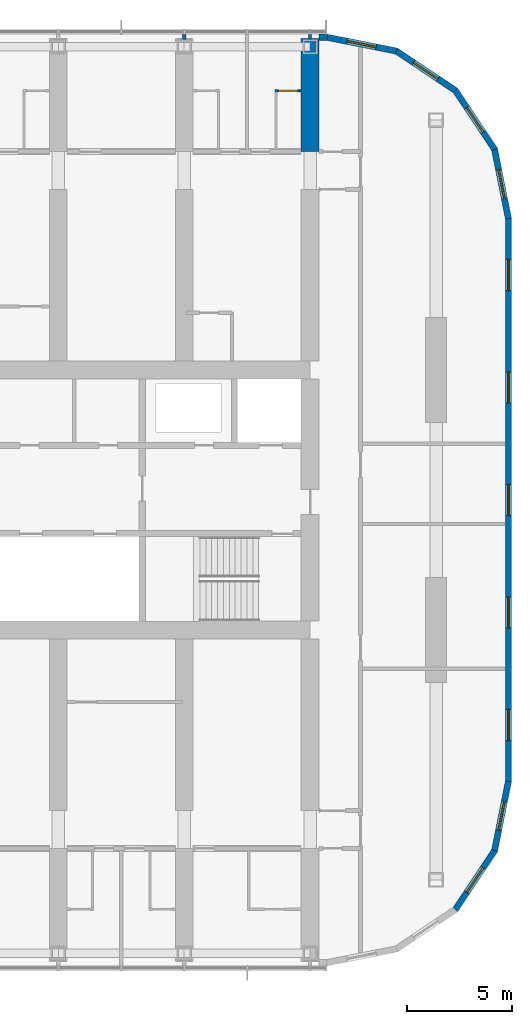
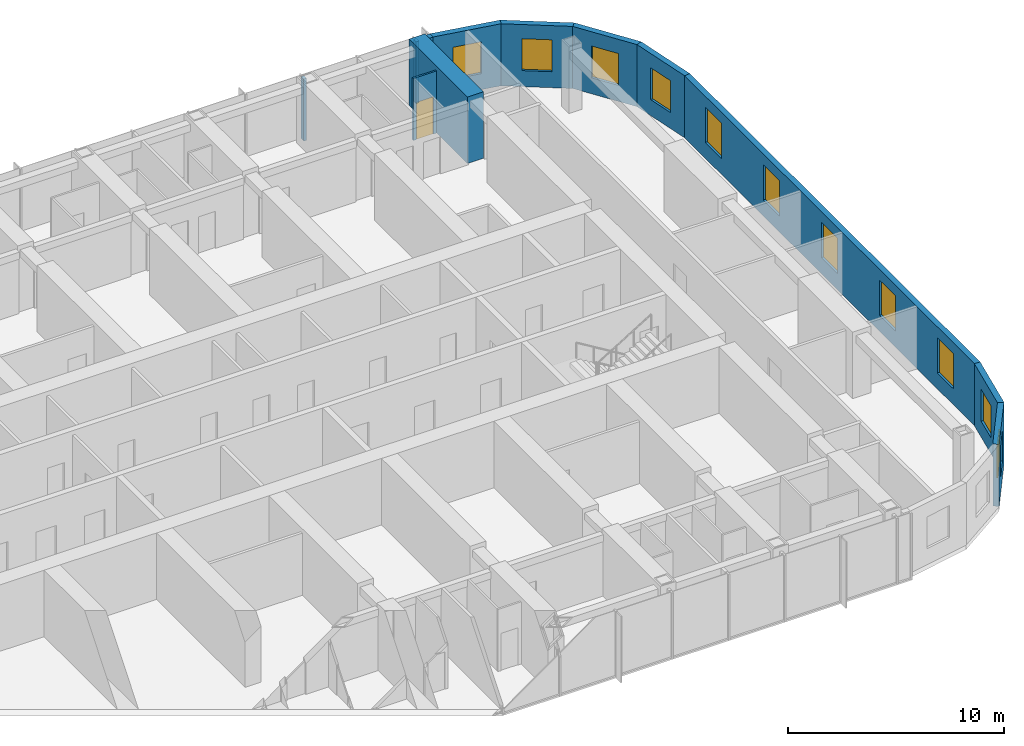
# One storey, part 17 of 22: 12 walls, 11 windows, 1 door, 12 openings.
"""IFC4 building model written with IfcOpenShell, lengths in metres."""

from ifc_helpers import new_model, si_unit, direction, frame, frame_2d, origin, place, context, subcontext, project, spatial, polyline, rectangle, outline, extrude, material, layer, layer_set, type_object, element, fill, save


model = new_model("IFC4")

# Units and contexts
model_context = context("Model", 3, precision=1e-05, world=origin(), true_north=direction((0.0, 1.0)))
body_context = subcontext(model_context, "Body", "Model", "MODEL_VIEW")
ifc_project = project(units=[si_unit("LENGTHUNIT", "METRE"), si_unit("AREAUNIT", "SQUARE_METRE"), si_unit("VOLUMEUNIT", "CUBIC_METRE"), si_unit("PLANEANGLEUNIT", "RADIAN"), si_unit("MASSUNIT", "GRAM", prefix="KILO")], contexts=[model_context])

# Site, building, storey
site_placement = place(None, origin())
site = spatial("IfcSite", under=ifc_project, at=site_placement, CompositionType="ELEMENT")
building_placement = place(site_placement, origin())
building = spatial("IfcBuilding", under=site, at=building_placement, Name="Orbita Commons", CompositionType="ELEMENT")
storey_placement = place(building_placement, frame((0.0, 0.0, 167.35009765625)))
storey = spatial("IfcBuildingStorey", under=building, at=storey_placement, Name="L41", CompositionType="ELEMENT", Elevation=167.35009765625)

# Wall
ifc_material_1 = material(Name="Concrete C50/60", Category="concrete")
ifc_layer_1 = layer(ifc_material_1, 0.85009765625)
ifc_layer_set_1 = layer_set([ifc_layer_1], Name="Concrete C50/60")
wall_type_1 = type_object("IfcWallType", Name="Cross wall 850 C50/60", PredefinedType="SHEAR", material=ifc_layer_set_1)
wall_1_placement = place(storey_placement, frame((66.0, 48.60009765625, 0.0), z_axis=(0.0, 0.0, 1.0), x_axis=(0.0, 1.0, 0.0)))
element("IfcWall", 1, at=wall_1_placement, inside=storey, type_object=wall_type_1, Name="Cross wall 12 north outer L41", PredefinedType="SHEAR", context=body_context, shape_type="SweptSolid", body=[
    extrude(rectangle(XDim=5.39990234375, YDim=0.85009765625, at=frame_2d((2.699951171875, 0.0))), origin(), (0.0, 0.0, 1.0), 3.75),
])

# Wall, opening, door
ifc_material_2 = material(Name="Moisture-resistant plasterboard on steel studs", Category="steel")
ifc_layer_2 = layer(ifc_material_2, 0.10009765625)
ifc_layer_set_2 = layer_set([ifc_layer_2], Name="Moisture-resistant plasterboard on steel studs")
wall_type_2 = type_object("IfcWallType", Name="En-suite partition 100", PredefinedType="PARTITIONING", material=ifc_layer_set_2)
wall_2_placement = place(storey_placement, frame((64.324951171875, 51.5, 0.0), z_axis=(0.0, 0.0, 1.0), x_axis=(1.0, 0.0, 0.0)))
wall_2 = element("IfcWall", 2, at=wall_2_placement, inside=storey, type_object=wall_type_2, Name="En-suite partition 100 L41", PredefinedType="PARTITIONING", context=body_context, shape_type="SweptSolid", body=[
    extrude(rectangle(XDim=1.25, YDim=0.10009765625, at=frame_2d((0.625, 0.0))), origin(), (0.0, 0.0, 1.0), 3.5),
])
opening_1_placement = place(wall_2_placement, frame((0.175048828125, 0.0, 0.0)))
opening_1 = element("IfcOpeningElement", 3, at=opening_1_placement, cuts=wall_2, Name="Opening D09", PredefinedType="OPENING", context=body_context, shape_type="SweptSolid", body=[
    extrude(rectangle(XDim=0.89990234375, YDim=2.10009765625, at=frame_2d((0.449951171875, 1.050048828125))), frame((0.0, 0.06005859375, 0.0), z_axis=(0.0, -1.0, 0.0), x_axis=(1.0, 0.0, 0.0)), (0.0, 0.0, 1.0), 0.1201171875),
])
ifc_material_3 = material(Name="Laminated timber door leaf", Category="wood")
door_type = type_object("IfcDoorType", Name="En-suite door 900x2100", OperationType="SINGLE_SWING_RIGHT", PredefinedType="DOOR", material=ifc_material_3)
door_placement = place(opening_1_placement, origin())
door = element("IfcDoor", 4, at=door_placement, inside=storey, type_object=door_type, Name="En-suite L41-N15 door", OperationType="SINGLE_SWING_RIGHT", OverallHeight=2.10009765625, OverallWidth=0.89990234375, PredefinedType="DOOR", context=body_context, shape_type="SweptSolid", body=[
    extrude(rectangle(XDim=0.89990234375, YDim=2.10009765625, at=frame_2d((0.449951171875, 1.050048828125))), frame((0.0, 0.02490234375, 0.0), z_axis=(0.0, -1.0, 0.0), x_axis=(1.0, 0.0, 0.0)), (0.0, 0.0, 1.0), 0.050048828125),
])
fill(opening_1, door)

# Walls
ifc_material_4 = material(Name="Gypsum plasterboard on steel studs", Category="steel")
ifc_layer_3 = layer(ifc_material_4, 0.14990234375)
ifc_layer_set_3 = layer_set([ifc_layer_3], Name="Gypsum plasterboard on steel studs")
wall_type_3 = type_object("IfcWallType", Name="Partition 150 plasterboard", PredefinedType="PARTITIONING", material=ifc_layer_set_3)
for number, where, z_axis, x_axis, name in (
    (5, (60.0, 53.949951171875, 0.0), (0.0, 0.0, 1.0), (0.0, 1.0, 0.0), "Partition 150 plasterboard L41"),
    (6, (66.0, 53.949951171875, 0.0), (0.0, 0.0, 1.0), (0.0, 1.0, 0.0), "Partition 150 plasterboard L41"),
):
    element("IfcWall", number, at=place(storey_placement, frame(where, z_axis=z_axis, x_axis=x_axis)), inside=storey, type_object=wall_type_3, Name=name, PredefinedType="PARTITIONING", context=body_context, shape_type="SweptSolid", body=[
        extrude(rectangle(XDim=0.239990234375, YDim=0.14990234375, at=frame_2d((0.1201171875, 0.0))), origin(), (0.0, 0.0, 1.0), 3.5),
    ])

# Wall, openings, windows
ifc_material_5 = material(Name="Precast concrete C40/50, white board-marked finish", Category="concrete")
ifc_layer_4 = layer(ifc_material_5, 0.300048828125)
ifc_layer_set_4 = layer_set([ifc_layer_4], Name="Precast concrete C40/50, white board-marked finish")
wall_type_4 = type_object("IfcWallType", Name="Precast concrete end shield 300", PredefinedType="SOLIDWALL", material=ifc_layer_set_4)
wall_3_placement = place(storey_placement, frame((75.449951171875, 18.60009765625, 0.0), z_axis=(0.0, 0.0, 1.0), x_axis=(0.0, 1.0, 0.0)))
wall_3 = element("IfcWall", 7, at=wall_3_placement, inside=storey, type_object=wall_type_4, Name="End shield E L41", PredefinedType="SOLIDWALL", context=body_context, shape_type="SweptSolid", body=[
    extrude(outline(polyline([(-0.014892578125, -0.14990234375), (26.814697265625, -0.14990234375), (26.784912109375, 0.14990234375), (0.014892578125, 0.14990234375), (-0.014892578125, -0.14990234375)])), origin(), (0.0, 0.0, 1.0), 3.5),
])
opening_2_placement = place(wall_3_placement, frame((1.929931640625, 0.0, 0.89990234375)))
opening_2 = element("IfcOpeningElement", 8, at=opening_2_placement, cuts=wall_3, Name="Opening W01", PredefinedType="OPENING", context=body_context, shape_type="SweptSolid", body=[
    extrude(rectangle(XDim=1.5, YDim=2.0, at=frame_2d((0.75, 1.0))), frame((0.0, 0.159912109375, 0.0), z_axis=(0.0, -1.0, 0.0), x_axis=(1.0, 0.0, 0.0)), (0.0, 0.0, 1.0), 0.320068359375),
])
opening_3_placement = place(wall_3_placement, frame((7.2900390625, 0.0, 0.89990234375)))
opening_3 = element("IfcOpeningElement", 9, at=opening_3_placement, cuts=wall_3, Name="Opening W01", PredefinedType="OPENING", context=body_context, shape_type="SweptSolid", body=[
    extrude(rectangle(XDim=1.5, YDim=2.0, at=frame_2d((0.75, 1.0))), frame((0.0, 0.159912109375, 0.0), z_axis=(0.0, -1.0, 0.0), x_axis=(1.0, 0.0, 0.0)), (0.0, 0.0, 1.0), 0.320068359375),
])
opening_4_placement = place(wall_3_placement, frame((12.64990234375, 0.0, 0.89990234375)))
opening_4 = element("IfcOpeningElement", 10, at=opening_4_placement, cuts=wall_3, Name="Opening W01", PredefinedType="OPENING", context=body_context, shape_type="SweptSolid", body=[
    extrude(rectangle(XDim=1.5, YDim=2.0, at=frame_2d((0.75, 1.0))), frame((0.0, 0.159912109375, 0.0), z_axis=(0.0, -1.0, 0.0), x_axis=(1.0, 0.0, 0.0)), (0.0, 0.0, 1.0), 0.320068359375),
])
opening_5_placement = place(wall_3_placement, frame((18.010009765625, 0.0, 0.89990234375)))
opening_5 = element("IfcOpeningElement", 11, at=opening_5_placement, cuts=wall_3, Name="Opening W01", PredefinedType="OPENING", context=body_context, shape_type="SweptSolid", body=[
    extrude(rectangle(XDim=1.5, YDim=2.0, at=frame_2d((0.75, 1.0))), frame((0.0, 0.159912109375, 0.0), z_axis=(0.0, -1.0, 0.0), x_axis=(1.0, 0.0, 0.0)), (0.0, 0.0, 1.0), 0.320068359375),
])
opening_6_placement = place(wall_3_placement, frame((23.3701171875, 0.0, 0.89990234375)))
opening_6 = element("IfcOpeningElement", 12, at=opening_6_placement, cuts=wall_3, Name="Opening W01", PredefinedType="OPENING", context=body_context, shape_type="SweptSolid", body=[
    extrude(rectangle(XDim=1.5, YDim=2.0, at=frame_2d((0.75, 1.0))), frame((0.0, 0.159912109375, 0.0), z_axis=(0.0, -1.0, 0.0), x_axis=(1.0, 0.0, 0.0)), (0.0, 0.0, 1.0), 0.320068359375),
])
ifc_material_6 = material(Name="Aluminium frame, clear double glazing", Category="aluminium")
window_type_1 = type_object("IfcWindowType", Name="Deep-set window 1500x2000", PartitioningType="SINGLE_PANEL", PredefinedType="WINDOW", material=ifc_material_6)
window_1_placement = place(opening_2_placement, origin())
window_1 = element("IfcWindow", 13, at=window_1_placement, inside=storey, type_object=window_type_1, Name="Window L41-E 1", OverallHeight=2.0, OverallWidth=1.5, PartitioningType="SINGLE_PANEL", PredefinedType="WINDOW", context=body_context, shape_type="SweptSolid", body=[
    extrude(rectangle(XDim=1.5, YDim=2.0, at=frame_2d((0.75, 1.0))), frame((0.0, 0.030029296875, 0.0), z_axis=(0.0, -1.0, 0.0), x_axis=(1.0, 0.0, 0.0)), (0.0, 0.0, 1.0), 0.06005859375),
])
fill(opening_2, window_1)
window_2_placement = place(opening_3_placement, origin())
window_2 = element("IfcWindow", 14, at=window_2_placement, inside=storey, type_object=window_type_1, Name="Window L41-E 2", OverallHeight=2.0, OverallWidth=1.5, PartitioningType="SINGLE_PANEL", PredefinedType="WINDOW", context=body_context, shape_type="SweptSolid", body=[
    extrude(rectangle(XDim=1.5, YDim=2.0, at=frame_2d((0.75, 1.0))), frame((0.0, 0.030029296875, 0.0), z_axis=(0.0, -1.0, 0.0), x_axis=(1.0, 0.0, 0.0)), (0.0, 0.0, 1.0), 0.06005859375),
])
fill(opening_3, window_2)
window_3_placement = place(opening_4_placement, origin())
window_3 = element("IfcWindow", 15, at=window_3_placement, inside=storey, type_object=window_type_1, Name="Window L41-E 3", OverallHeight=2.0, OverallWidth=1.5, PartitioningType="SINGLE_PANEL", PredefinedType="WINDOW", context=body_context, shape_type="SweptSolid", body=[
    extrude(rectangle(XDim=1.5, YDim=2.0, at=frame_2d((0.75, 1.0))), frame((0.0, 0.030029296875, 0.0), z_axis=(0.0, -1.0, 0.0), x_axis=(1.0, 0.0, 0.0)), (0.0, 0.0, 1.0), 0.06005859375),
])
fill(opening_4, window_3)
window_4_placement = place(opening_5_placement, origin())
window_4 = element("IfcWindow", 16, at=window_4_placement, inside=storey, type_object=window_type_1, Name="Window L41-E 4", OverallHeight=2.0, OverallWidth=1.5, PartitioningType="SINGLE_PANEL", PredefinedType="WINDOW", context=body_context, shape_type="SweptSolid", body=[
    extrude(rectangle(XDim=1.5, YDim=2.0, at=frame_2d((0.75, 1.0))), frame((0.0, 0.030029296875, 0.0), z_axis=(0.0, -1.0, 0.0), x_axis=(1.0, 0.0, 0.0)), (0.0, 0.0, 1.0), 0.06005859375),
])
fill(opening_5, window_4)
window_5_placement = place(opening_6_placement, origin())
window_5 = element("IfcWindow", 17, at=window_5_placement, inside=storey, type_object=window_type_1, Name="Window L41-E 5", OverallHeight=2.0, OverallWidth=1.5, PartitioningType="SINGLE_PANEL", PredefinedType="WINDOW", context=body_context, shape_type="SweptSolid", body=[
    extrude(rectangle(XDim=1.5, YDim=2.0, at=frame_2d((0.75, 1.0))), frame((0.0, 0.030029296875, 0.0), z_axis=(0.0, -1.0, 0.0), x_axis=(1.0, 0.0, 0.0)), (0.0, 0.0, 1.0), 0.06005859375),
])
fill(opening_6, window_5)

# Wall, opening, window
wall_4_placement = place(storey_placement, frame((72.91650390625, 12.4833984375, 0.0), z_axis=(0.0, 0.0, 1.0), x_axis=(0.555534554399, 0.831493450887, 0.0)))
wall_4 = element("IfcWall", 18, at=wall_4_placement, inside=storey, type_object=wall_type_4, Name="End shield SE chord 3 L41", PredefinedType="SOLIDWALL", context=body_context, shape_type="SweptSolid", body=[
    extrude(outline(polyline([(-0.02978515625, -0.14990234375), (3.405029296875, -0.14990234375), (3.345458984375, 0.14990234375), (0.02978515625, 0.14990234375), (-0.02978515625, -0.14990234375)])), origin(), (0.0, 0.0, 1.0), 3.5),
])
opening_7_placement = place(wall_4_placement, frame((0.987548828125, 0.0, 0.89990234375)))
opening_7 = element("IfcOpeningElement", 19, at=opening_7_placement, cuts=wall_4, Name="Opening W02", PredefinedType="OPENING", context=body_context, shape_type="SweptSolid", body=[
    extrude(rectangle(XDim=1.39990234375, YDim=1.800048828125, at=frame_2d((0.699951171875, 0.89990234375))), frame((0.0, 0.159912109375, 0.0), z_axis=(0.0, -1.0, 0.0), x_axis=(1.0, 0.0, 0.0)), (0.0, 0.0, 1.0), 0.320068359375),
])
ifc_material_7 = material(Name="Aluminium frame, clear double glazing", Category="aluminium")
window_type_2 = type_object("IfcWindowType", Name="Deep-set window 1400x1800", PartitioningType="SINGLE_PANEL", PredefinedType="WINDOW", material=ifc_material_7)
window_6_placement = place(opening_7_placement, origin())
window_6 = element("IfcWindow", 20, at=window_6_placement, inside=storey, type_object=window_type_2, Name="Window L41-SE2", OverallHeight=1.800048828125, OverallWidth=1.39990234375, PartitioningType="SINGLE_PANEL", PredefinedType="WINDOW", context=body_context, shape_type="SweptSolid", body=[
    extrude(rectangle(XDim=1.39990234375, YDim=1.800048828125, at=frame_2d((0.699951171875, 0.89990234375))), frame((0.0, 0.030029296875, 0.0), z_axis=(0.0, -1.0, 0.0), x_axis=(1.0, 0.0, 0.0)), (0.0, 0.0, 1.0), 0.06005859375),
])
fill(opening_7, window_6)

wall_5_placement = place(storey_placement, frame((74.79150390625, 15.289794921875, 0.0), z_axis=(0.0, 0.0, 1.0), x_axis=(0.19508664885, 0.980786011034, 0.0)))
wall_5 = element("IfcWall", 21, at=wall_5_placement, inside=storey, type_object=wall_type_4, Name="End shield SE chord 4 L41", PredefinedType="SOLIDWALL", context=body_context, shape_type="SweptSolid", body=[
    extrude(outline(polyline([(-0.02978515625, -0.14990234375), (3.39013671875, -0.14990234375), (3.3603515625, 0.14990234375), (0.02978515625, 0.14990234375), (-0.02978515625, -0.14990234375)])), origin(), (0.0, 0.0, 1.0), 3.5),
])
opening_8_placement = place(wall_5_placement, frame((0.987548828125, 0.0, 0.89990234375)))
opening_8 = element("IfcOpeningElement", 22, at=opening_8_placement, cuts=wall_5, Name="Opening W02", PredefinedType="OPENING", context=body_context, shape_type="SweptSolid", body=[
    extrude(rectangle(XDim=1.39990234375, YDim=1.800048828125, at=frame_2d((0.699951171875, 0.89990234375))), frame((0.0, 0.159912109375, 0.0), z_axis=(0.0, -1.0, 0.0), x_axis=(1.0, 0.0, 0.0)), (0.0, 0.0, 1.0), 0.320068359375),
])
window_7_placement = place(opening_8_placement, origin())
window_7 = element("IfcWindow", 23, at=window_7_placement, inside=storey, type_object=window_type_2, Name="Window L41-SE3", OverallHeight=1.800048828125, OverallWidth=1.39990234375, PartitioningType="SINGLE_PANEL", PredefinedType="WINDOW", context=body_context, shape_type="SweptSolid", body=[
    extrude(rectangle(XDim=1.39990234375, YDim=1.800048828125, at=frame_2d((0.699951171875, 0.89990234375))), frame((0.0, 0.030029296875, 0.0), z_axis=(0.0, -1.0, 0.0), x_axis=(1.0, 0.0, 0.0)), (0.0, 0.0, 1.0), 0.06005859375),
])
fill(opening_8, window_7)

wall_6_placement = place(storey_placement, frame((75.449951171875, 45.39990234375, 0.0), z_axis=(0.0, 0.0, 1.0), x_axis=(-0.19508664885, 0.980786011034, 0.0)))
wall_6 = element("IfcWall", 24, at=wall_6_placement, inside=storey, type_object=wall_type_4, Name="End shield NE chord 1 L41", PredefinedType="SOLIDWALL", context=body_context, shape_type="SweptSolid", body=[
    extrude(outline(polyline([(-0.014892578125, -0.14990234375), (3.405029296875, -0.14990234375), (3.345458984375, 0.14990234375), (0.014892578125, 0.14990234375), (-0.014892578125, -0.14990234375)])), origin(), (0.0, 0.0, 1.0), 3.5),
])
opening_9_placement = place(wall_6_placement, frame((0.987548828125, 0.0, 0.89990234375)))
opening_9 = element("IfcOpeningElement", 25, at=opening_9_placement, cuts=wall_6, Name="Opening W02", PredefinedType="OPENING", context=body_context, shape_type="SweptSolid", body=[
    extrude(rectangle(XDim=1.39990234375, YDim=1.800048828125, at=frame_2d((0.699951171875, 0.89990234375))), frame((0.0, 0.159912109375, 0.0), z_axis=(0.0, -1.0, 0.0), x_axis=(1.0, 0.0, 0.0)), (0.0, 0.0, 1.0), 0.320068359375),
])
window_8_placement = place(opening_9_placement, origin())
window_8 = element("IfcWindow", 26, at=window_8_placement, inside=storey, type_object=window_type_2, Name="Window L41-NE0", OverallHeight=1.800048828125, OverallWidth=1.39990234375, PartitioningType="SINGLE_PANEL", PredefinedType="WINDOW", context=body_context, shape_type="SweptSolid", body=[
    extrude(rectangle(XDim=1.39990234375, YDim=1.800048828125, at=frame_2d((0.699951171875, 0.89990234375))), frame((0.0, 0.030029296875, 0.0), z_axis=(0.0, -1.0, 0.0), x_axis=(1.0, 0.0, 0.0)), (0.0, 0.0, 1.0), 0.06005859375),
])
fill(opening_9, window_8)

wall_7_placement = place(storey_placement, frame((74.79150390625, 48.710205078125, 0.0), z_axis=(0.0, 0.0, 1.0), x_axis=(-0.555534554399, 0.831493450887, 0.0)))
wall_7 = element("IfcWall", 27, at=wall_7_placement, inside=storey, type_object=wall_type_4, Name="End shield NE chord 2 L41", PredefinedType="SOLIDWALL", context=body_context, shape_type="SweptSolid", body=[
    extrude(outline(polyline([(-0.02978515625, -0.14990234375), (3.405029296875, -0.14990234375), (3.345458984375, 0.14990234375), (0.02978515625, 0.14990234375), (-0.02978515625, -0.14990234375)])), origin(), (0.0, 0.0, 1.0), 3.5),
])
opening_10_placement = place(wall_7_placement, frame((0.987548828125, 0.0, 0.89990234375)))
opening_10 = element("IfcOpeningElement", 28, at=opening_10_placement, cuts=wall_7, Name="Opening W02", PredefinedType="OPENING", context=body_context, shape_type="SweptSolid", body=[
    extrude(rectangle(XDim=1.39990234375, YDim=1.800048828125, at=frame_2d((0.699951171875, 0.89990234375))), frame((0.0, 0.159912109375, 0.0), z_axis=(0.0, -1.0, 0.0), x_axis=(1.0, 0.0, 0.0)), (0.0, 0.0, 1.0), 0.320068359375),
])
window_9_placement = place(opening_10_placement, origin())
window_9 = element("IfcWindow", 29, at=window_9_placement, inside=storey, type_object=window_type_2, Name="Window L41-NE1", OverallHeight=1.800048828125, OverallWidth=1.39990234375, PartitioningType="SINGLE_PANEL", PredefinedType="WINDOW", context=body_context, shape_type="SweptSolid", body=[
    extrude(rectangle(XDim=1.39990234375, YDim=1.800048828125, at=frame_2d((0.699951171875, 0.89990234375))), frame((0.0, 0.030029296875, 0.0), z_axis=(0.0, -1.0, 0.0), x_axis=(1.0, 0.0, 0.0)), (0.0, 0.0, 1.0), 0.06005859375),
])
fill(opening_10, window_9)

wall_8_placement = place(storey_placement, frame((72.91650390625, 51.5166015625, 0.0), z_axis=(0.0, 0.0, 1.0), x_axis=(-0.831493450887, 0.555534554399, 0.0)))
wall_8 = element("IfcWall", 30, at=wall_8_placement, inside=storey, type_object=wall_type_4, Name="End shield NE chord 3 L41", PredefinedType="SOLIDWALL", context=body_context, shape_type="SweptSolid", body=[
    extrude(outline(polyline([(-0.02978515625, -0.14990234375), (3.405029296875, -0.14990234375), (3.345458984375, 0.14990234375), (0.02978515625, 0.14990234375), (-0.02978515625, -0.14990234375)])), origin(), (0.0, 0.0, 1.0), 3.5),
])
opening_11_placement = place(wall_8_placement, frame((0.987548828125, 0.0, 0.89990234375)))
opening_11 = element("IfcOpeningElement", 31, at=opening_11_placement, cuts=wall_8, Name="Opening W02", PredefinedType="OPENING", context=body_context, shape_type="SweptSolid", body=[
    extrude(rectangle(XDim=1.39990234375, YDim=1.800048828125, at=frame_2d((0.699951171875, 0.89990234375))), frame((0.0, 0.159912109375, 0.0), z_axis=(0.0, -1.0, 0.0), x_axis=(1.0, 0.0, 0.0)), (0.0, 0.0, 1.0), 0.320068359375),
])
window_10_placement = place(opening_11_placement, origin())
window_10 = element("IfcWindow", 32, at=window_10_placement, inside=storey, type_object=window_type_2, Name="Window L41-NE2", OverallHeight=1.800048828125, OverallWidth=1.39990234375, PartitioningType="SINGLE_PANEL", PredefinedType="WINDOW", context=body_context, shape_type="SweptSolid", body=[
    extrude(rectangle(XDim=1.39990234375, YDim=1.800048828125, at=frame_2d((0.699951171875, 0.89990234375))), frame((0.0, 0.030029296875, 0.0), z_axis=(0.0, -1.0, 0.0), x_axis=(1.0, 0.0, 0.0)), (0.0, 0.0, 1.0), 0.06005859375),
])
fill(opening_11, window_10)

wall_9_placement = place(storey_placement, frame((70.110107421875, 53.3916015625, 0.0), z_axis=(0.0, 0.0, 1.0), x_axis=(-0.98078325777, 0.195100490205, 0.0)))
wall_9 = element("IfcWall", 33, at=wall_9_placement, inside=storey, type_object=wall_type_4, Name="End shield NE chord 4 L41", PredefinedType="SOLIDWALL", context=body_context, shape_type="SweptSolid", body=[
    extrude(outline(polyline([(-0.02978515625, -0.14990234375), (3.40478515625, -0.14990234375), (3.34521484375, 0.14990234375), (0.02978515625, 0.14990234375), (-0.02978515625, -0.14990234375)])), origin(), (0.0, 0.0, 1.0), 3.5),
])
opening_12_placement = place(wall_9_placement, frame((0.987548828125, 0.0, 0.89990234375)))
opening_12 = element("IfcOpeningElement", 34, at=opening_12_placement, cuts=wall_9, Name="Opening W02", PredefinedType="OPENING", context=body_context, shape_type="SweptSolid", body=[
    extrude(rectangle(XDim=1.39990234375, YDim=1.800048828125, at=frame_2d((0.699951171875, 0.89990234375))), frame((0.0, 0.159912109375, 0.0), z_axis=(0.0, -1.0, 0.0), x_axis=(1.0, 0.0, 0.0)), (0.0, 0.0, 1.0), 0.320068359375),
])
window_11_placement = place(opening_12_placement, origin())
window_11 = element("IfcWindow", 35, at=window_11_placement, inside=storey, type_object=window_type_2, Name="Window L41-NE3", OverallHeight=1.800048828125, OverallWidth=1.39990234375, PartitioningType="SINGLE_PANEL", PredefinedType="WINDOW", context=body_context, shape_type="SweptSolid", body=[
    extrude(rectangle(XDim=1.39990234375, YDim=1.800048828125, at=frame_2d((0.699951171875, 0.89990234375))), frame((0.0, 0.030029296875, 0.0), z_axis=(0.0, -1.0, 0.0), x_axis=(1.0, 0.0, 0.0)), (0.0, 0.0, 1.0), 0.06005859375),
])
fill(opening_12, window_11)

# Wall
wall_10_placement = place(storey_placement, frame((66.800048828125, 54.050048828125, 0.0), z_axis=(0.0, 0.0, 1.0), x_axis=(-1.0, 0.0, 0.0)))
element("IfcWall", 36, at=wall_10_placement, inside=storey, type_object=wall_type_4, Name="End shield NE closer L41", PredefinedType="SOLIDWALL", context=body_context, shape_type="SweptSolid", body=[
    extrude(rectangle(XDim=0.375, YDim=0.300048828125, at=frame_2d((0.1875, 0.0))), origin(), (0.0, 0.0, 1.0), 3.5),
])

save(model, "model.ifc")
